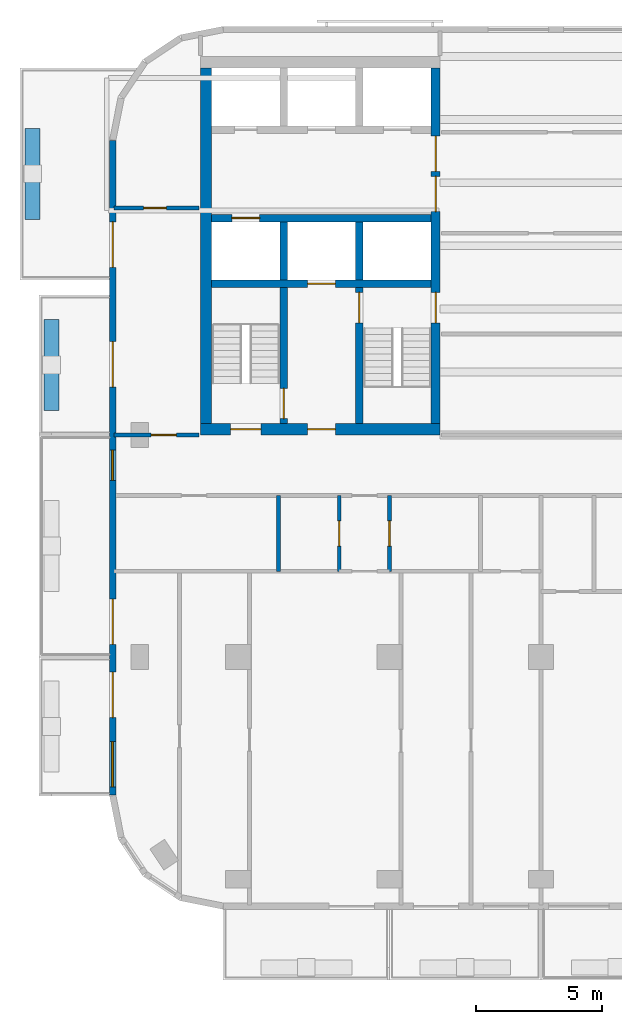
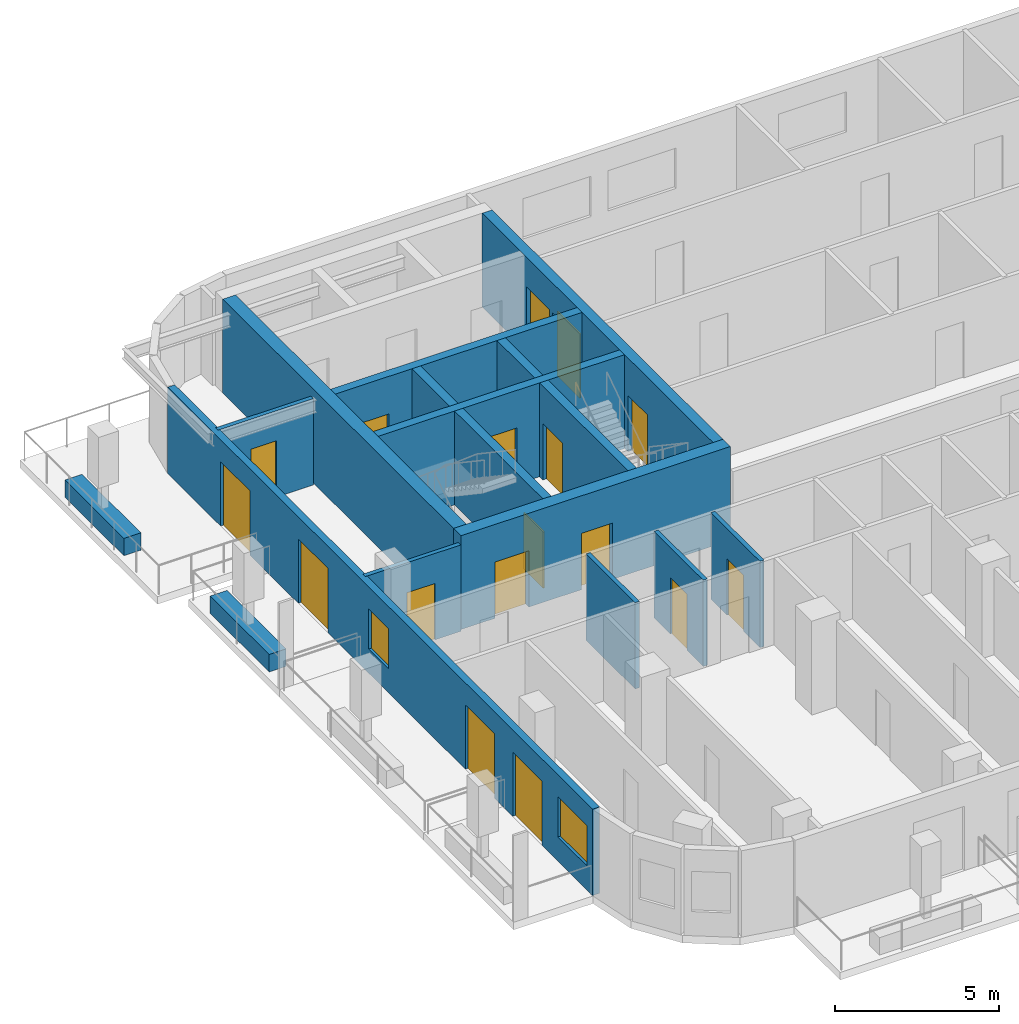
# One storey, part 3 of 11: 17 doors, 17 walls, 2 windows, 19 openings.
"""IFC4 building model written with IfcOpenShell, lengths in metres."""

import ifcopenshell
import ifcopenshell.guid

model = None  # the IFC model being written
_history = None  # IfcOwnerHistory: only IFC2X3 demands one
_inside = {}  # id of a spatial element -> (the spatial element, [elements in it])
_under = {}  # id of a project, library or spatial element -> (it, [spatial elements below it])
_declared = {}  # id of a project -> (the project, [libraries it declares])
_typed = {}  # id of a type object -> (the type object, [elements of that type])
_made_of = {}  # id of a material, layer set ... -> (it, [elements and type objects made of it])


def new_model(schema):
    """Start an empty IFC model of exactly this schema.

    Asked for "IFC4X3", IfcOpenShell would pick the latest addendum, in which some entities
    have other attributes; the version numbers below select the first issue.
    IFC2X3 requires an IfcOwnerHistory on every rooted entity: one is made here for all.
    """
    global model, _history
    if schema == "IFC4X3":
        model = ifcopenshell.file(schema_version=(4, 3, 0, 0))
    else:
        model = ifcopenshell.file(schema=schema)
    _inside.clear()
    _under.clear()
    _declared.clear()
    _typed.clear()
    _made_of.clear()
    _history = None
    if model.schema == "IFC2X3":
        org = make("IfcOrganization", Name="unknown")
        user = make(
            "IfcPersonAndOrganization",
            ThePerson=make("IfcPerson", FamilyName="unknown"),
            TheOrganization=org,
        )
        app = make(
            "IfcApplication",
            ApplicationDeveloper=org,
            Version="unknown",
            ApplicationFullName="unknown",
            ApplicationIdentifier="unknown",
        )
        _history = make(
            "IfcOwnerHistory",
            OwningUser=user,
            OwningApplication=app,
            ChangeAction="ADDED",
            CreationDate=0,
        )
    return model


def make(cls, **values):
    """One entity of the class cls with the attributes given. An attribute that is None is left unset."""
    return model.create_entity(
        cls, **{name: value for name, value in values.items() if value is not None}
    )


def rooted(cls, **values):
    """An entity with a GlobalId (a new one), such as an element, a storey or a relation."""
    return make(cls, GlobalId=ifcopenshell.guid.new(), OwnerHistory=_history, **values)


def si_unit(unit_type, name, prefix=None):
    """IfcSIUnit, for example si_unit("LENGTHUNIT", "METRE", prefix="MILLI")."""
    return make("IfcSIUnit", UnitType=unit_type, Prefix=prefix, Name=name)


def assignment(units):
    """IfcUnitAssignment: the units of a project."""
    return None if units is None else make("IfcUnitAssignment", Units=units)


def point(xyz):
    """IfcCartesianPoint."""
    return None if xyz is None else make("IfcCartesianPoint", Coordinates=xyz)


def direction(xyz):
    """IfcDirection."""
    return None if xyz is None else make("IfcDirection", DirectionRatios=xyz)


def frame(location, z_axis=None, x_axis=None):
    """IfcAxis2Placement3D, a coordinate frame: its origin and axes. An axis left out is left unset."""
    return make(
        "IfcAxis2Placement3D",
        Location=point(location),
        Axis=direction(z_axis),
        RefDirection=direction(x_axis),
    )


def frame_2d(location, x_axis=None):
    """IfcAxis2Placement2D, a coordinate frame in the plane: its origin and x axis."""
    return make(
        "IfcAxis2Placement2D", Location=point(location), RefDirection=direction(x_axis)
    )


def origin():
    """The frame at (0, 0, 0) with its axes left unset."""
    return frame((0.0, 0.0, 0.0))


def place(relative_to, where):
    """IfcLocalPlacement: puts the frame where relative to a parent placement (None: the world)."""
    return make(
        "IfcLocalPlacement", PlacementRelTo=relative_to, RelativePlacement=where
    )


def context(
    kind, dimensions, precision=None, world=None, true_north=None, identifier=None
):
    """IfcGeometricRepresentationContext, for example the 3D "Model" context."""
    return make(
        "IfcGeometricRepresentationContext",
        ContextIdentifier=identifier,
        ContextType=kind,
        CoordinateSpaceDimension=dimensions,
        Precision=precision,
        WorldCoordinateSystem=world,
        TrueNorth=true_north,
    )


def subcontext(parent, identifier, kind, view, scale=None):
    """IfcGeometricRepresentationSubContext, for example "Body" below "Model"."""
    return make(
        "IfcGeometricRepresentationSubContext",
        ContextIdentifier=identifier,
        ContextType=kind,
        ParentContext=parent,
        TargetScale=scale,
        TargetView=view,
    )


def project(units=None, contexts=None):
    """IfcProject with its units and contexts."""
    return rooted(
        "IfcProject",
        Name="project",
        RepresentationContexts=contexts,
        UnitsInContext=assignment(units),
    )


def spatial(cls, under=None, at=None, **own):
    """A site, building, storey or space (cls), placed at a placement, below another one or the project."""
    s = rooted(cls, ObjectPlacement=at, **own)
    if under is not None:
        _under.setdefault(under.id(), (under, []))[1].append(s)
    return s


def profile(cls, at=None, kind="AREA", **sizes):
    """A parametric profile (cls). Its sizes go by their IFC names, for example OverallWidth=200.0."""
    return make(cls, ProfileType=kind, Position=at, **sizes)


def rectangle(**sizes):
    """IfcRectangleProfileDef."""
    return profile("IfcRectangleProfileDef", **sizes)


def extrude(swept, where, along, depth):
    """IfcExtrudedAreaSolid: the profile swept, set in the frame where, extruded along a direction by depth."""
    return make(
        "IfcExtrudedAreaSolid",
        SweptArea=swept,
        Position=where,
        ExtrudedDirection=direction(along),
        Depth=depth,
    )


def shape(context_of_items, identifier, shape_type, items):
    """IfcShapeRepresentation: the items that make up one representation, for example the "Body"."""
    return make(
        "IfcShapeRepresentation",
        ContextOfItems=context_of_items,
        RepresentationIdentifier=identifier,
        RepresentationType=shape_type,
        Items=items,
    )


def material(Name=None, Category=None):
    """IfcMaterial."""
    return make("IfcMaterial", Name=Name, Category=Category)


def layer(
    of_material, thickness, ventilated=None, Name=None, Category=None, Priority=None
):
    """IfcMaterialLayer: one layer of a wall or slab, of a material (None: an air gap)."""
    return make(
        "IfcMaterialLayer",
        Material=of_material,
        LayerThickness=thickness,
        IsVentilated=ventilated,
        Name=Name,
        Category=Category,
        Priority=Priority,
    )


def layer_set(layers, Name=None):
    """IfcMaterialLayerSet."""
    return make("IfcMaterialLayerSet", MaterialLayers=layers, LayerSetName=Name)


def made_of(thing, what):
    """Note that an element or type object is made of a material, layer set ...; save() writes the relation."""
    if what is not None:
        _made_of.setdefault(what.id(), (what, []))[1].append(thing)
    return thing


def type_object(cls, material=None, **own):
    """A type object (cls), such as IfcWallType, which elements share."""
    return made_of(rooted(cls, **own), material)


def element(
    cls,
    number,
    at=None,
    inside=None,
    cuts=None,
    type_object=None,
    material=None,
    context=None,
    identifier="Body",
    shape_type=None,
    held_by="IfcProductDefinitionShape",
    body=None,
    shapes=None,
    **own,
):
    """One element of the class cls, such as IfcWall. Its Tag is "e" and its number.

    at: its placement. inside: the storey or other place that contains it. cuts: it is an
    opening in that element (IfcRelVoidsElement). A single representation is given by context,
    identifier, shape_type and body (its items); several are given by shapes. held_by: the class
    of the entity that holds the representations. save() writes the other relations.
    """
    e = rooted(cls, Tag="e%d" % number, ObjectPlacement=at, **own)
    if body is not None:
        shapes = [shape(context, identifier, shape_type, body)]
    if shapes is not None:
        e.Representation = make(held_by, Representations=shapes)
    if inside is not None:
        _inside.setdefault(inside.id(), (inside, []))[1].append(e)
    if cuts is not None:
        rooted(
            "IfcRelVoidsElement", RelatingBuildingElement=cuts, RelatedOpeningElement=e
        )
    if type_object is not None:
        _typed.setdefault(type_object.id(), (type_object, []))[1].append(e)
    return made_of(e, material)


def fill(opening, filler):
    """IfcRelFillsElement: the door or window that sits in an opening."""
    return rooted(
        "IfcRelFillsElement",
        RelatingOpeningElement=opening,
        RelatedBuildingElement=filler,
    )


def aggregate(whole, parts):
    """IfcRelAggregates: a whole, such as a stair, and the parts it consists of."""
    return rooted("IfcRelAggregates", RelatingObject=whole, RelatedObjects=parts)


def save(model, path):
    """Write the relations noted so far, then the file.

    IfcRelAggregates (storeys below a building ...), IfcRelContainedInSpatialStructure (elements
    in a storey), IfcRelDefinesByType, IfcRelAssociatesMaterial and IfcRelDeclares: one each for
    every whole, place, type object, material and project.
    """
    for whole, parts in _under.values():
        aggregate(whole, parts)
    for where, things in _inside.values():
        rooted(
            "IfcRelContainedInSpatialStructure",
            RelatedElements=things,
            RelatingStructure=where,
        )
    for kind, things in _typed.values():
        rooted("IfcRelDefinesByType", RelatedObjects=things, RelatingType=kind)
    for what, things in _made_of.values():
        rooted("IfcRelAssociatesMaterial", RelatedObjects=things, RelatingMaterial=what)
    for by, libraries in _declared.values():
        rooted("IfcRelDeclares", RelatingContext=by, RelatedDefinitions=libraries)
    model.write(path)


model = new_model("IFC4")

# Units and contexts
model_context = context("Model", 3, precision=1e-05, world=origin(), true_north=direction((0.0, 1.0)))
body_context = subcontext(model_context, "Body", "Model", "MODEL_VIEW")
ifc_project = project(units=[si_unit("LENGTHUNIT", "METRE"), si_unit("AREAUNIT", "SQUARE_METRE"), si_unit("VOLUMEUNIT", "CUBIC_METRE"), si_unit("PLANEANGLEUNIT", "RADIAN"), si_unit("MASSUNIT", "GRAM", prefix="KILO")], contexts=[model_context])

# Site, building, storey
site_placement = place(None, origin())
site = spatial("IfcSite", under=ifc_project, at=site_placement, CompositionType="ELEMENT")
building_placement = place(site_placement, origin())
building = spatial("IfcBuilding", under=site, at=building_placement, Name="Torana Hotel and Residences", CompositionType="ELEMENT")
storey_placement = place(building_placement, frame((0.0, 0.0, 273.60009765625)))
storey = spatial("IfcBuildingStorey", under=building, at=storey_placement, Name="L72", CompositionType="ELEMENT", Elevation=273.60009765625)

# Wall, opening, door
ifc_material_1 = material(Name="Concrete C60/75", Category="concrete")
ifc_layer_1 = layer(ifc_material_1, 0.300048828125)
ifc_layer_set_1 = layer_set([ifc_layer_1], Name="CORE WALL 300 C60/75")
wall_type_1 = type_object("IfcWallType", Name="CORE WALL 300 C60/75", PredefinedType="SHEAR", material=ifc_layer_set_1)
wall_1_placement = place(storey_placement, frame((-19.050048828125, -6.39990234375, 0.0), z_axis=(0.0, 0.0, 1.0), x_axis=(1.0, 0.0, 0.0)))
wall_1 = element("IfcWall", 1, at=wall_1_placement, inside=storey, type_object=wall_type_1, Name="Core wall W row-S", PredefinedType="SHEAR", context=body_context, shape_type="SweptSolid", body=[
    extrude(rectangle(XDim=8.699951171875, YDim=0.300048828125, at=frame_2d((4.35009765625, 0.0))), origin(), (0.0, 0.0, 1.0), 3.5),
])
opening_1_placement = place(wall_1_placement, frame((0.800048828125, 0.0, 0.0)))
opening_1 = element("IfcOpeningElement", 2, at=opening_1_placement, cuts=wall_1, Name="Opening LD", PredefinedType="OPENING", context=body_context, shape_type="SweptSolid", body=[
    extrude(rectangle(XDim=1.10009765625, YDim=2.10009765625, at=frame_2d((0.550048828125, 1.050048828125))), frame((0.0, 0.159912109375, 0.0), z_axis=(0.0, -1.0, 0.0), x_axis=(1.0, 0.0, 0.0)), (0.0, 0.0, 1.0), 0.320068359375),
])
ifc_material_2 = material(Name="Stainless steel 316", Category="steel")
door_type_1 = type_object("IfcDoorType", Name="LIFT LANDING DOOR LD 1100x2100", OperationType="DOUBLE_DOOR_SLIDING", PredefinedType="USERDEFINED", material=ifc_material_2)
door_1_placement = place(opening_1_placement, origin())
door_1 = element("IfcDoor", 3, at=door_1_placement, inside=storey, type_object=door_type_1, Name="Lift landing door SV1 L72", ObjectType="LIFT LANDING DOOR", OperationType="DOUBLE_DOOR_SLIDING", OverallHeight=2.10009765625, OverallWidth=1.10009765625, PredefinedType="USERDEFINED", context=body_context, shape_type="SweptSolid", body=[
    extrude(rectangle(XDim=1.10009765625, YDim=2.10009765625, at=frame_2d((0.550048828125, 1.050048828125))), frame((0.0, 0.02490234375, 0.0), z_axis=(0.0, -1.0, 0.0), x_axis=(1.0, 0.0, 0.0)), (0.0, 0.0, 1.0), 0.050048828125),
])
fill(opening_1, door_1)

wall_2_placement = place(storey_placement, frame((-19.050048828125, -9.0, 0.0), z_axis=(0.0, 0.0, 1.0), x_axis=(1.0, 0.0, 0.0)))
wall_2 = element("IfcWall", 4, at=wall_2_placement, inside=storey, type_object=wall_type_1, Name="Core wall W band", PredefinedType="SHEAR", context=body_context, shape_type="SweptSolid", body=[
    extrude(rectangle(XDim=8.699951171875, YDim=0.300048828125, at=frame_2d((4.35009765625, 0.0))), origin(), (0.0, 0.0, 1.0), 3.5),
])
opening_2_placement = place(wall_2_placement, frame((3.800048828125, 0.0, 0.0)))
opening_2 = element("IfcOpeningElement", 5, at=opening_2_placement, cuts=wall_2, Name="Opening LD", PredefinedType="OPENING", context=body_context, shape_type="SweptSolid", body=[
    extrude(rectangle(XDim=1.10009765625, YDim=2.10009765625, at=frame_2d((0.550048828125, 1.050048828125))), frame((0.0, 0.159912109375, 0.0), z_axis=(0.0, -1.0, 0.0), x_axis=(1.0, 0.0, 0.0)), (0.0, 0.0, 1.0), 0.320068359375),
])
door_2_placement = place(opening_2_placement, origin())
door_2 = element("IfcDoor", 6, at=door_2_placement, inside=storey, type_object=door_type_1, Name="Lift landing door FF1 L72", ObjectType="LIFT LANDING DOOR", OperationType="DOUBLE_DOOR_SLIDING", OverallHeight=2.10009765625, OverallWidth=1.10009765625, PredefinedType="USERDEFINED", context=body_context, shape_type="SweptSolid", body=[
    extrude(rectangle(XDim=1.10009765625, YDim=2.10009765625, at=frame_2d((0.550048828125, 1.050048828125))), frame((0.0, 0.02490234375, 0.0), z_axis=(0.0, -1.0, 0.0), x_axis=(1.0, 0.0, 0.0)), (0.0, 0.0, 1.0), 0.050048828125),
])
fill(opening_2, door_2)

# Wall
wall_3_placement = place(storey_placement, frame((-13.199951171875, -8.85009765625, 0.0), z_axis=(0.0, 0.0, 1.0), x_axis=(0.0, 1.0, 0.0)))
element("IfcWall", 7, at=wall_3_placement, inside=storey, type_object=wall_type_1, Name="Core wall W x3.05-S", PredefinedType="SHEAR", context=body_context, shape_type="SweptSolid", body=[
    extrude(rectangle(XDim=2.300048828125, YDim=0.300048828125, at=frame_2d((1.14990234375, 0.0))), origin(), (0.0, 0.0, 1.0), 3.5),
])

# Wall, opening, door
wall_4_placement = place(storey_placement, frame((-13.199951171875, -14.550048828125, 0.0), z_axis=(0.0, 0.0, 1.0), x_axis=(0.0, 1.0, 0.0)))
wall_4 = element("IfcWall", 8, at=wall_4_placement, inside=storey, type_object=wall_type_1, Name="Core wall W x3.05-band", PredefinedType="SHEAR", context=body_context, shape_type="SweptSolid", body=[
    extrude(rectangle(XDim=5.400146484375, YDim=0.300048828125, at=frame_2d((2.7001953125, 0.0))), origin(), (0.0, 0.0, 1.0), 3.5),
])
opening_3_placement = place(wall_4_placement, frame((4.0, 0.0, 0.0)))
opening_3 = element("IfcOpeningElement", 9, at=opening_3_placement, cuts=wall_4, Name="Opening L72-07", PredefinedType="OPENING", context=body_context, shape_type="SweptSolid", body=[
    extrude(rectangle(XDim=1.199951171875, YDim=2.10009765625, at=frame_2d((0.60009765625, 1.050048828125))), frame((0.0, 0.159912109375, 0.0), z_axis=(0.0, -1.0, 0.0), x_axis=(1.0, 0.0, 0.0)), (0.0, 0.0, 1.0), 0.320068359375),
])
ifc_material_3 = material(Name="Steel S235", Category="steel")
door_type_2 = type_object("IfcDoorType", Name="STAIR FIRE DOOR D3 1200x2100", OperationType="SINGLE_SWING_LEFT", PredefinedType="DOOR", material=ifc_material_3)
door_3_placement = place(opening_3_placement, frame((0.60009765625, 0.0, 0.0), z_axis=(0.0, 0.0, 1.0), x_axis=(-1.0, 0.0, 0.0)))
door_3 = element("IfcDoor", 10, at=door_3_placement, inside=storey, type_object=door_type_2, Name="Stair-A-lobby door L72", OperationType="SINGLE_SWING_RIGHT", OverallHeight=2.10009765625, OverallWidth=1.199951171875, PredefinedType="DOOR", context=body_context, shape_type="SweptSolid", body=[
    extrude(rectangle(XDim=1.199951171875, YDim=2.10009765625, at=frame_2d((0.0, 1.050048828125))), frame((0.0, -0.02490234375, 0.0), z_axis=(0.0, 1.0, 0.0), x_axis=(-1.0, 0.0, 0.0)), (0.0, 0.0, 1.0), 0.050048828125),
])
fill(opening_3, door_3)

# Wall
wall_5_placement = place(storey_placement, frame((-16.199951171875, -8.85009765625, 0.0), z_axis=(0.0, 0.0, 1.0), x_axis=(0.0, 1.0, 0.0)))
element("IfcWall", 11, at=wall_5_placement, inside=storey, type_object=wall_type_1, Name="Core wall W x6.05-S", PredefinedType="SHEAR", context=body_context, shape_type="SweptSolid", body=[
    extrude(rectangle(XDim=2.300048828125, YDim=0.300048828125, at=frame_2d((1.14990234375, 0.0))), origin(), (0.0, 0.0, 1.0), 3.5),
])

# Wall, opening, door
wall_6_placement = place(storey_placement, frame((-16.199951171875, -14.550048828125, 0.0), z_axis=(0.0, 0.0, 1.0), x_axis=(0.0, 1.0, 0.0)))
wall_6 = element("IfcWall", 12, at=wall_6_placement, inside=storey, type_object=wall_type_1, Name="Core wall W x6.05-band", PredefinedType="SHEAR", context=body_context, shape_type="SweptSolid", body=[
    extrude(rectangle(XDim=5.400146484375, YDim=0.300048828125, at=frame_2d((2.7001953125, 0.0))), origin(), (0.0, 0.0, 1.0), 3.5),
])
opening_4_placement = place(wall_6_placement, frame((0.199951171875, 0.0, 0.0)))
opening_4 = element("IfcOpeningElement", 13, at=opening_4_placement, cuts=wall_6, Name="Opening L72-08", PredefinedType="OPENING", context=body_context, shape_type="SweptSolid", body=[
    extrude(rectangle(XDim=1.199951171875, YDim=2.10009765625, at=frame_2d((0.60009765625, 1.050048828125))), frame((0.0, 0.159912109375, 0.0), z_axis=(0.0, -1.0, 0.0), x_axis=(1.0, 0.0, 0.0)), (0.0, 0.0, 1.0), 0.320068359375),
])
door_4_placement = place(opening_4_placement, origin())
door_4 = element("IfcDoor", 14, at=door_4_placement, inside=storey, type_object=door_type_2, Name="Stair-B-lobby door L72", OperationType="SINGLE_SWING_RIGHT", OverallHeight=2.10009765625, OverallWidth=1.199951171875, PredefinedType="DOOR", context=body_context, shape_type="SweptSolid", body=[
    extrude(rectangle(XDim=1.199951171875, YDim=2.10009765625, at=frame_2d((0.60009765625, 1.050048828125))), frame((0.0, 0.02490234375, 0.0), z_axis=(0.0, -1.0, 0.0), x_axis=(1.0, 0.0, 0.0)), (0.0, 0.0, 1.0), 0.050048828125),
])
fill(opening_4, door_4)

# Wall, openings, doors
ifc_material_4 = material(Name="Concrete C60/75", Category="concrete")
ifc_layer_2 = layer(ifc_material_4, 0.35009765625)
ifc_layer_set_2 = layer_set([ifc_layer_2], Name="CORE WALL 350 C60/75")
wall_type_2 = type_object("IfcWallType", Name="CORE WALL 350 C60/75", PredefinedType="SHEAR", material=ifc_layer_set_2)
wall_7_placement = place(storey_placement, frame((-10.175048828125, -14.550048828125, 0.0), z_axis=(0.0, 0.0, 1.0), x_axis=(0.0, 1.0, 0.0)))
wall_7 = element("IfcWall", 15, at=wall_7_placement, inside=storey, type_object=wall_type_2, Name="Core wall W arch", PredefinedType="SHEAR", context=body_context, shape_type="SweptSolid", body=[
    extrude(rectangle(XDim=14.10009765625, YDim=0.35009765625, at=frame_2d((7.050048828125, 0.0))), origin(), (0.0, 0.0, 1.0), 3.5),
])
opening_5_placement = place(wall_7_placement, frame((8.39990234375, 0.0, 0.0)))
opening_5 = element("IfcOpeningElement", 16, at=opening_5_placement, cuts=wall_7, Name="Opening L72-01", PredefinedType="OPENING", context=body_context, shape_type="SweptSolid", body=[
    extrude(rectangle(XDim=1.39990234375, YDim=2.39990234375, at=frame_2d((0.699951171875, 1.199951171875))), frame((0.0, 0.18505859375, 0.0), z_axis=(0.0, -1.0, 0.0), x_axis=(1.0, 0.0, 0.0)), (0.0, 0.0, 1.0), 0.3701171875),
])
opening_6_placement = place(wall_7_placement, frame((10.0, 0.0, 0.0)))
opening_6 = element("IfcOpeningElement", 17, at=opening_6_placement, cuts=wall_7, Name="Opening L72-02", PredefinedType="OPENING", context=body_context, shape_type="SweptSolid", body=[
    extrude(rectangle(XDim=1.39990234375, YDim=2.39990234375, at=frame_2d((0.699951171875, 1.199951171875))), frame((0.0, 0.18505859375, 0.0), z_axis=(0.0, -1.0, 0.0), x_axis=(1.0, 0.0, 0.0)), (0.0, 0.0, 1.0), 0.3701171875),
])
opening_7_placement = place(wall_7_placement, frame((4.0, 0.0, 0.0)))
opening_7 = element("IfcOpeningElement", 18, at=opening_7_placement, cuts=wall_7, Name="Opening L72-03", PredefinedType="OPENING", context=body_context, shape_type="SweptSolid", body=[
    extrude(rectangle(XDim=1.199951171875, YDim=2.10009765625, at=frame_2d((0.60009765625, 1.050048828125))), frame((0.0, 0.18505859375, 0.0), z_axis=(0.0, -1.0, 0.0), x_axis=(1.0, 0.0, 0.0)), (0.0, 0.0, 1.0), 0.3701171875),
])
ifc_material_5 = material(Name="Steel S235", Category="steel")
door_type_3 = type_object("IfcDoorType", Name="LOBBY FIRE DOOR D4 1400x2400", OperationType="DOUBLE_DOOR_SINGLE_SWING", PredefinedType="DOOR", material=ifc_material_5)
door_5_placement = place(opening_5_placement, origin())
door_5 = element("IfcDoor", 19, at=door_5_placement, inside=storey, type_object=door_type_3, Name="Lobby-1 door L72", OperationType="DOUBLE_DOOR_SINGLE_SWING", OverallHeight=2.39990234375, OverallWidth=1.39990234375, PredefinedType="DOOR", context=body_context, shape_type="SweptSolid", body=[
    extrude(rectangle(XDim=1.39990234375, YDim=2.39990234375, at=frame_2d((0.699951171875, 1.199951171875))), frame((0.0, 0.02490234375, 0.0), z_axis=(0.0, -1.0, 0.0), x_axis=(1.0, 0.0, 0.0)), (0.0, 0.0, 1.0), 0.050048828125),
])
fill(opening_5, door_5)
door_6_placement = place(opening_6_placement, origin())
door_6 = element("IfcDoor", 20, at=door_6_placement, inside=storey, type_object=door_type_3, Name="Lobby-2 door L72", OperationType="DOUBLE_DOOR_SINGLE_SWING", OverallHeight=2.39990234375, OverallWidth=1.39990234375, PredefinedType="DOOR", context=body_context, shape_type="SweptSolid", body=[
    extrude(rectangle(XDim=1.39990234375, YDim=2.39990234375, at=frame_2d((0.699951171875, 1.199951171875))), frame((0.0, 0.02490234375, 0.0), z_axis=(0.0, -1.0, 0.0), x_axis=(1.0, 0.0, 0.0)), (0.0, 0.0, 1.0), 0.050048828125),
])
fill(opening_6, door_6)
door_7_placement = place(opening_7_placement, origin())
door_7 = element("IfcDoor", 21, at=door_7_placement, inside=storey, type_object=door_type_2, Name="Stair-A door L72", OperationType="SINGLE_SWING_LEFT", OverallHeight=2.10009765625, OverallWidth=1.199951171875, PredefinedType="DOOR", context=body_context, shape_type="SweptSolid", body=[
    extrude(rectangle(XDim=1.199951171875, YDim=2.10009765625, at=frame_2d((0.60009765625, 1.050048828125))), frame((0.0, 0.02490234375, 0.0), z_axis=(0.0, -1.0, 0.0), x_axis=(1.0, 0.0, 0.0)), (0.0, 0.0, 1.0), 0.050048828125),
])
fill(opening_7, door_7)

ifc_material_6 = material(Name="Concrete C60/75", Category="concrete")
ifc_layer_3 = layer(ifc_material_6, 0.449951171875)
ifc_layer_set_3 = layer_set([ifc_layer_3], Name="CORE WALL 450 C60/75")
wall_type_3 = type_object("IfcWallType", Name="CORE WALL 450 C60/75", PredefinedType="SHEAR", material=ifc_layer_set_3)
wall_8_placement = place(storey_placement, frame((-19.5, -14.77490234375, 0.0), z_axis=(0.0, 0.0, 1.0), x_axis=(1.0, 0.0, 0.0)))
wall_8 = element("IfcWall", 22, at=wall_8_placement, inside=storey, type_object=wall_type_3, Name="Core wall W front", PredefinedType="SHEAR", context=body_context, shape_type="SweptSolid", body=[
    extrude(rectangle(XDim=9.5, YDim=0.449951171875, at=frame_2d((4.75, 0.0))), origin(), (0.0, 0.0, 1.0), 3.5),
])
opening_8_placement = place(wall_8_placement, frame((1.199951171875, 0.0, 0.0)))
opening_8 = element("IfcOpeningElement", 23, at=opening_8_placement, cuts=wall_8, Name="Opening L72-04", PredefinedType="OPENING", context=body_context, shape_type="SweptSolid", body=[
    extrude(rectangle(XDim=1.199951171875, YDim=2.10009765625, at=frame_2d((0.60009765625, 1.050048828125))), frame((0.0, 0.23486328125, 0.0), z_axis=(0.0, -1.0, 0.0), x_axis=(1.0, 0.0, 0.0)), (0.0, 0.0, 1.0), 0.469970703125),
])
opening_9_placement = place(wall_8_placement, frame((4.25, 0.0, 0.0)))
opening_9 = element("IfcOpeningElement", 24, at=opening_9_placement, cuts=wall_8, Name="Opening L72-05", PredefinedType="OPENING", context=body_context, shape_type="SweptSolid", body=[
    extrude(rectangle(XDim=1.10009765625, YDim=2.10009765625, at=frame_2d((0.550048828125, 1.050048828125))), frame((0.0, 0.23486328125, 0.0), z_axis=(0.0, -1.0, 0.0), x_axis=(1.0, 0.0, 0.0)), (0.0, 0.0, 1.0), 0.469970703125),
])
ifc_material_7 = material(Name="Steel S235", Category="steel")
door_type_4 = type_object("IfcDoorType", Name="FIRE-FIGHTING LOBBY DOOR D8 1100x2100", OperationType="SINGLE_SWING_LEFT", PredefinedType="DOOR", material=ifc_material_7)
door_8_placement = place(opening_9_placement, origin())
door_8 = element("IfcDoor", 25, at=door_8_placement, inside=storey, type_object=door_type_4, Name="FF-lobby door L72", OperationType="SINGLE_SWING_RIGHT", OverallHeight=2.10009765625, OverallWidth=1.10009765625, PredefinedType="DOOR", context=body_context, shape_type="SweptSolid", body=[
    extrude(rectangle(XDim=1.10009765625, YDim=2.10009765625, at=frame_2d((0.550048828125, 1.050048828125))), frame((0.0, 0.02490234375, 0.0), z_axis=(0.0, -1.0, 0.0), x_axis=(1.0, 0.0, 0.0)), (0.0, 0.0, 1.0), 0.050048828125),
])
fill(opening_9, door_8)
door_9_placement = place(opening_8_placement, origin())
door_9 = element("IfcDoor", 26, at=door_9_placement, inside=storey, type_object=door_type_2, Name="Stair-B door L72", OperationType="SINGLE_SWING_RIGHT", OverallHeight=2.10009765625, OverallWidth=1.199951171875, PredefinedType="DOOR", context=body_context, shape_type="SweptSolid", body=[
    extrude(rectangle(XDim=1.199951171875, YDim=2.10009765625, at=frame_2d((0.60009765625, 1.050048828125))), frame((0.0, 0.02490234375, 0.0), z_axis=(0.0, -1.0, 0.0), x_axis=(1.0, 0.0, 0.0)), (0.0, 0.0, 1.0), 0.050048828125),
])
fill(opening_8, door_9)

# Wall
wall_9_placement = place(storey_placement, frame((-19.27490234375, -14.550048828125, 0.0), z_axis=(0.0, 0.0, 1.0), x_axis=(0.0, 1.0, 0.0)))
element("IfcWall", 27, at=wall_9_placement, inside=storey, type_object=wall_type_3, Name="Core wall W outer", PredefinedType="SHEAR", context=body_context, shape_type="SweptSolid", body=[
    extrude(rectangle(XDim=14.10009765625, YDim=0.449951171875, at=frame_2d((7.050048828125, 0.0))), origin(), (0.0, 0.0, 1.0), 3.5),
])

# Wall, openings, doors, windows
ifc_material_8 = material(Name="Black aluminium composite panel", Category="aluminium")
ifc_layer_4 = layer(ifc_material_8, 0.00390625, Name="Cladding", Category="cladding")
ifc_material_9 = material(Name="Ventilated air cavity")
ifc_layer_5 = layer(ifc_material_9, 0.0400390625, Name="Ventilated cavity", Category="cavity")
ifc_material_10 = material(Name="Mineral wool insulation")
ifc_layer_6 = layer(ifc_material_10, 0.090087890625, Name="Insulation", Category="insulation")
ifc_material_11 = material(Name="Steel S280GD", Category="steel")
ifc_layer_7 = layer(ifc_material_11, 0.092041015625, Name="Steel stud frame", Category="structure")
ifc_material_12 = material(Name="Fire rated plasterboard")
ifc_layer_8 = layer(ifc_material_12, 0.011962890625, Name="Inner board", Category="finish")
ifc_layer_9 = layer(ifc_material_12, 0.011962890625, Name="Second board", Category="finish")
ifc_layer_set_4 = layer_set([ifc_layer_4, ifc_layer_5, ifc_layer_6, ifc_layer_7, ifc_layer_8, ifc_layer_9], Name="EW1 EXTERNAL WALL BLACK METAL CLAD 250")
wall_type_4 = type_object("IfcWallType", Name="EW1 EXTERNAL WALL BLACK METAL CLAD 250", PredefinedType="SOLIDWALL", material=ifc_layer_set_4)
wall_10_placement = place(storey_placement, frame((-22.97509765625, -3.32470703125, 0.0), z_axis=(0.0, 0.0, 1.0), x_axis=(0.0, -1.0, 0.0)))
wall_10 = element("IfcWall", 28, at=wall_10_placement, inside=storey, type_object=wall_type_4, Name="External wall L72 e0.9", PredefinedType="SOLIDWALL", context=body_context, shape_type="SweptSolid", body=[
    extrude(rectangle(XDim=25.95068359375, YDim=0.25, at=frame_2d((12.975341796875, 0.0))), origin(), (0.0, 0.0, 1.0), 3.219970703125),
])
opening_10_placement = place(wall_10_placement, frame((3.225341796875, 0.0, 0.0)))
opening_10 = element("IfcOpeningElement", 29, at=opening_10_placement, cuts=wall_10, Name="Opening L72-E11", PredefinedType="OPENING", context=body_context, shape_type="SweptSolid", body=[
    extrude(rectangle(XDim=1.800048828125, YDim=2.39990234375, at=frame_2d((0.89990234375, 1.199951171875))), frame((0.0, 0.135009765625, 0.0), z_axis=(0.0, -1.0, 0.0), x_axis=(1.0, 0.0, 0.0)), (0.0, 0.0, 1.0), 0.27001953125),
])
opening_11_placement = place(wall_10_placement, frame((7.975341796875, 0.0, 0.0)))
opening_11 = element("IfcOpeningElement", 30, at=opening_11_placement, cuts=wall_10, Name="Opening L72-E12", PredefinedType="OPENING", context=body_context, shape_type="SweptSolid", body=[
    extrude(rectangle(XDim=1.800048828125, YDim=2.39990234375, at=frame_2d((0.89990234375, 1.199951171875))), frame((0.0, 0.135009765625, 0.0), z_axis=(0.0, -1.0, 0.0), x_axis=(1.0, 0.0, 0.0)), (0.0, 0.0, 1.0), 0.27001953125),
])
opening_12_placement = place(wall_10_placement, frame((12.275390625, 0.0, 0.89990234375)))
opening_12 = element("IfcOpeningElement", 31, at=opening_12_placement, cuts=wall_10, Name="Opening W5", PredefinedType="OPENING", context=body_context, shape_type="SweptSolid", body=[
    extrude(rectangle(XDim=1.199951171875, YDim=1.5, at=frame_2d((0.60009765625, 0.75))), frame((0.0, 0.135009765625, 0.0), z_axis=(0.0, -1.0, 0.0), x_axis=(1.0, 0.0, 0.0)), (0.0, 0.0, 1.0), 0.27001953125),
])
opening_13_placement = place(wall_10_placement, frame((18.17529296875, 0.0, 0.0)))
opening_13 = element("IfcOpeningElement", 32, at=opening_13_placement, cuts=wall_10, Name="Opening L72-E13", PredefinedType="OPENING", context=body_context, shape_type="SweptSolid", body=[
    extrude(rectangle(XDim=1.800048828125, YDim=2.39990234375, at=frame_2d((0.89990234375, 1.199951171875))), frame((0.0, 0.135009765625, 0.0), z_axis=(0.0, -1.0, 0.0), x_axis=(1.0, 0.0, 0.0)), (0.0, 0.0, 1.0), 0.27001953125),
])
opening_14_placement = place(wall_10_placement, frame((21.075439453125, 0.0, 0.0)))
opening_14 = element("IfcOpeningElement", 33, at=opening_14_placement, cuts=wall_10, Name="Opening L72-E14", PredefinedType="OPENING", context=body_context, shape_type="SweptSolid", body=[
    extrude(rectangle(XDim=1.800048828125, YDim=2.39990234375, at=frame_2d((0.89990234375, 1.199951171875))), frame((0.0, 0.135009765625, 0.0), z_axis=(0.0, -1.0, 0.0), x_axis=(1.0, 0.0, 0.0)), (0.0, 0.0, 1.0), 0.27001953125),
])
opening_15_placement = place(wall_10_placement, frame((23.825439453125, 0.0, 0.89990234375)))
opening_15 = element("IfcOpeningElement", 34, at=opening_15_placement, cuts=wall_10, Name="Opening W4", PredefinedType="OPENING", context=body_context, shape_type="SweptSolid", body=[
    extrude(rectangle(XDim=1.800048828125, YDim=1.5, at=frame_2d((0.89990234375, 0.75))), frame((0.0, 0.135009765625, 0.0), z_axis=(0.0, -1.0, 0.0), x_axis=(1.0, 0.0, 0.0)), (0.0, 0.0, 1.0), 0.27001953125),
])
ifc_material_13 = material(Name="Dark glass in black aluminium frame", Category="aluminium")
door_type_5 = type_object("IfcDoorType", Name="DB1 BALCONY DOOR 1800x2400", OperationType="DOUBLE_DOOR_SINGLE_SWING", PredefinedType="DOOR", material=ifc_material_13)
door_10_placement = place(opening_10_placement, origin())
door_10 = element("IfcDoor", 35, at=door_10_placement, inside=storey, type_object=door_type_5, Name="Balcony door L72", OperationType="DOUBLE_DOOR_SINGLE_SWING", OverallHeight=2.39990234375, OverallWidth=1.800048828125, PredefinedType="DOOR", context=body_context, shape_type="SweptSolid", body=[
    extrude(rectangle(XDim=1.800048828125, YDim=2.39990234375, at=frame_2d((0.89990234375, 1.199951171875))), frame((0.0, 0.02490234375, 0.0), z_axis=(0.0, -1.0, 0.0), x_axis=(1.0, 0.0, 0.0)), (0.0, 0.0, 1.0), 0.050048828125),
])
fill(opening_10, door_10)
door_11_placement = place(opening_11_placement, origin())
door_11 = element("IfcDoor", 36, at=door_11_placement, inside=storey, type_object=door_type_5, Name="Balcony door L72", OperationType="DOUBLE_DOOR_SINGLE_SWING", OverallHeight=2.39990234375, OverallWidth=1.800048828125, PredefinedType="DOOR", context=body_context, shape_type="SweptSolid", body=[
    extrude(rectangle(XDim=1.800048828125, YDim=2.39990234375, at=frame_2d((0.89990234375, 1.199951171875))), frame((0.0, 0.02490234375, 0.0), z_axis=(0.0, -1.0, 0.0), x_axis=(1.0, 0.0, 0.0)), (0.0, 0.0, 1.0), 0.050048828125),
])
fill(opening_11, door_11)
door_12_placement = place(opening_13_placement, origin())
door_12 = element("IfcDoor", 37, at=door_12_placement, inside=storey, type_object=door_type_5, Name="Balcony door L72", OperationType="DOUBLE_DOOR_SINGLE_SWING", OverallHeight=2.39990234375, OverallWidth=1.800048828125, PredefinedType="DOOR", context=body_context, shape_type="SweptSolid", body=[
    extrude(rectangle(XDim=1.800048828125, YDim=2.39990234375, at=frame_2d((0.89990234375, 1.199951171875))), frame((0.0, 0.02490234375, 0.0), z_axis=(0.0, -1.0, 0.0), x_axis=(1.0, 0.0, 0.0)), (0.0, 0.0, 1.0), 0.050048828125),
])
fill(opening_13, door_12)
door_13_placement = place(opening_14_placement, origin())
door_13 = element("IfcDoor", 38, at=door_13_placement, inside=storey, type_object=door_type_5, Name="Balcony door L72", OperationType="DOUBLE_DOOR_SINGLE_SWING", OverallHeight=2.39990234375, OverallWidth=1.800048828125, PredefinedType="DOOR", context=body_context, shape_type="SweptSolid", body=[
    extrude(rectangle(XDim=1.800048828125, YDim=2.39990234375, at=frame_2d((0.89990234375, 1.199951171875))), frame((0.0, 0.02490234375, 0.0), z_axis=(0.0, -1.0, 0.0), x_axis=(1.0, 0.0, 0.0)), (0.0, 0.0, 1.0), 0.050048828125),
])
fill(opening_14, door_13)
ifc_material_14 = material(Name="Dark glass in black aluminium frame", Category="aluminium")
window_type_1 = type_object("IfcWindowType", Name="W4 RESIDENCE WINDOW NARROW 1800x1500", PartitioningType="SINGLE_PANEL", PredefinedType="WINDOW", material=ifc_material_14)
window_1_placement = place(opening_15_placement, origin())
window_1 = element("IfcWindow", 39, at=window_1_placement, inside=storey, type_object=window_type_1, Name="Window L72", OverallHeight=1.5, OverallWidth=1.800048828125, PartitioningType="SINGLE_PANEL", PredefinedType="WINDOW", context=body_context, shape_type="SweptSolid", body=[
    extrude(rectangle(XDim=1.800048828125, YDim=1.5, at=frame_2d((0.89990234375, 0.75))), frame((0.0, 0.030029296875, 0.0), z_axis=(0.0, -1.0, 0.0), x_axis=(1.0, 0.0, 0.0)), (0.0, 0.0, 1.0), 0.06005859375),
])
fill(opening_15, window_1)
ifc_material_15 = material(Name="Dark glass in black aluminium frame", Category="aluminium")
window_type_2 = type_object("IfcWindowType", Name="W5 CORNER FACET WINDOW 1200x1500", PartitioningType="SINGLE_PANEL", PredefinedType="WINDOW", material=ifc_material_15)
window_2_placement = place(opening_12_placement, origin())
window_2 = element("IfcWindow", 40, at=window_2_placement, inside=storey, type_object=window_type_2, Name="Window L72", OverallHeight=1.5, OverallWidth=1.199951171875, PartitioningType="SINGLE_PANEL", PredefinedType="WINDOW", context=body_context, shape_type="SweptSolid", body=[
    extrude(rectangle(XDim=1.199951171875, YDim=1.5, at=frame_2d((0.60009765625, 0.75))), frame((0.0, 0.030029296875, 0.0), z_axis=(0.0, -1.0, 0.0), x_axis=(1.0, 0.0, 0.0)), (0.0, 0.0, 1.0), 0.06005859375),
])
fill(opening_12, window_2)

# Wall, opening, door
ifc_material_16 = material(Name="Gypsum plaster")
ifc_layer_10 = layer(ifc_material_16, 0.014892578125, Name="Plaster", Category="finish")
ifc_material_17 = material(Name="Concrete blockwork", Category="masonry")
ifc_layer_11 = layer(ifc_material_17, 0.1201171875, Name="Blockwork", Category="structure")
ifc_layer_12 = layer(ifc_material_16, 0.014892578125, Name="Plaster", Category="finish")
ifc_layer_set_5 = layer_set([ifc_layer_10, ifc_layer_11, ifc_layer_12], Name="FIRE PARTITION 150 BLOCKWORK")
wall_type_5 = type_object("IfcWallType", Name="FIRE PARTITION 150 BLOCKWORK", PredefinedType="PARTITIONING", material=ifc_layer_set_5)
wall_11_placement = place(storey_placement, frame((-12.0, -20.39990234375, 0.0), z_axis=(0.0, 0.0, 1.0), x_axis=(0.0, 1.0, 0.0)))
wall_11 = element("IfcWall", 41, at=wall_11_placement, inside=storey, type_object=wall_type_5, Name="Partition L72", PredefinedType="PARTITIONING", context=body_context, shape_type="SweptSolid", body=[
    extrude(rectangle(XDim=3.0, YDim=0.14990234375, at=frame_2d((1.5, 0.0))), origin(), (0.0, 0.0, 1.0), 3.219970703125),
])
opening_16_placement = place(wall_11_placement, frame((1.0, 0.0, 0.0)))
opening_16 = element("IfcOpeningElement", 42, at=opening_16_placement, cuts=wall_11, Name="Opening L72-44", PredefinedType="OPENING", context=body_context, shape_type="SweptSolid", body=[
    extrude(rectangle(XDim=1.0, YDim=2.10009765625, at=frame_2d((0.5, 1.050048828125))), frame((0.0, 0.0849609375, 0.0), z_axis=(0.0, -1.0, 0.0), x_axis=(1.0, 0.0, 0.0)), (0.0, 0.0, 1.0), 0.169921875),
])
ifc_material_18 = material(Name="Steel S235", Category="steel")
door_type_6 = type_object("IfcDoorType", Name="ENTRY FIRE DOOR D6 1000x2100", OperationType="SINGLE_SWING_LEFT", PredefinedType="DOOR", material=ifc_material_18)
door_14_placement = place(opening_16_placement, frame((0.5, 0.0, 0.0), z_axis=(0.0, 0.0, 1.0), x_axis=(-1.0, 0.0, 0.0)))
door_14 = element("IfcDoor", 43, at=door_14_placement, inside=storey, type_object=door_type_6, Name="Door L72", OperationType="SINGLE_SWING_LEFT", OverallHeight=2.10009765625, OverallWidth=1.0, PredefinedType="DOOR", context=body_context, shape_type="SweptSolid", body=[
    extrude(rectangle(XDim=1.0, YDim=2.10009765625, at=frame_2d((0.0, 1.050048828125))), frame((0.0, -0.02490234375, 0.0), z_axis=(0.0, 1.0, 0.0), x_axis=(-1.0, 0.0, 0.0)), (0.0, 0.0, 1.0), 0.050048828125),
])
fill(opening_16, door_14)

wall_12_placement = place(storey_placement, frame((-14.0, -20.39990234375, 0.0), z_axis=(0.0, 0.0, 1.0), x_axis=(0.0, 1.0, 0.0)))
wall_12 = element("IfcWall", 44, at=wall_12_placement, inside=storey, type_object=wall_type_5, Name="Partition L72", PredefinedType="PARTITIONING", context=body_context, shape_type="SweptSolid", body=[
    extrude(rectangle(XDim=3.0, YDim=0.14990234375, at=frame_2d((1.5, 0.0))), origin(), (0.0, 0.0, 1.0), 3.219970703125),
])
opening_17_placement = place(wall_12_placement, frame((1.0, 0.0, 0.0)))
opening_17 = element("IfcOpeningElement", 45, at=opening_17_placement, cuts=wall_12, Name="Opening L72-45", PredefinedType="OPENING", context=body_context, shape_type="SweptSolid", body=[
    extrude(rectangle(XDim=1.0, YDim=2.10009765625, at=frame_2d((0.5, 1.050048828125))), frame((0.0, 0.0849609375, 0.0), z_axis=(0.0, -1.0, 0.0), x_axis=(1.0, 0.0, 0.0)), (0.0, 0.0, 1.0), 0.169921875),
])
door_15_placement = place(opening_17_placement, origin())
door_15 = element("IfcDoor", 46, at=door_15_placement, inside=storey, type_object=door_type_6, Name="Door L72", OperationType="SINGLE_SWING_RIGHT", OverallHeight=2.10009765625, OverallWidth=1.0, PredefinedType="DOOR", context=body_context, shape_type="SweptSolid", body=[
    extrude(rectangle(XDim=1.0, YDim=2.10009765625, at=frame_2d((0.5, 1.050048828125))), frame((0.0, 0.02490234375, 0.0), z_axis=(0.0, -1.0, 0.0), x_axis=(1.0, 0.0, 0.0)), (0.0, 0.0, 1.0), 0.050048828125),
])
fill(opening_17, door_15)

wall_13_placement = place(storey_placement, frame((-22.919921875, -15.0, 0.0), z_axis=(0.0, 0.0, 1.0), x_axis=(1.0, 0.0, 0.0)))
wall_13 = element("IfcWall", 47, at=wall_13_placement, inside=storey, type_object=wall_type_5, Name="Partition L72", PredefinedType="PARTITIONING", context=body_context, shape_type="SweptSolid", body=[
    extrude(rectangle(XDim=3.369873046875, YDim=0.14990234375, at=frame_2d((1.68505859375, 0.0))), origin(), (0.0, 0.0, 1.0), 3.219970703125),
])
opening_18_placement = place(wall_13_placement, frame((1.469970703125, 0.0, 0.0)))
opening_18 = element("IfcOpeningElement", 48, at=opening_18_placement, cuts=wall_13, Name="Opening L72-26", PredefinedType="OPENING", context=body_context, shape_type="SweptSolid", body=[
    extrude(rectangle(XDim=1.0, YDim=2.10009765625, at=frame_2d((0.5, 1.050048828125))), frame((0.0, 0.0849609375, 0.0), z_axis=(0.0, -1.0, 0.0), x_axis=(1.0, 0.0, 0.0)), (0.0, 0.0, 1.0), 0.169921875),
])
ifc_material_19 = material(Name="Steel S235", Category="steel")
door_type_7 = type_object("IfcDoorType", Name="CORE ROOM FIRE DOOR D14 1000x2100", OperationType="SINGLE_SWING_LEFT", PredefinedType="DOOR", material=ifc_material_19)
door_16_placement = place(opening_18_placement, origin())
door_16 = element("IfcDoor", 49, at=door_16_placement, inside=storey, type_object=door_type_7, Name="Door L72", OperationType="SINGLE_SWING_RIGHT", OverallHeight=2.10009765625, OverallWidth=1.0, PredefinedType="DOOR", context=body_context, shape_type="SweptSolid", body=[
    extrude(rectangle(XDim=1.0, YDim=2.10009765625, at=frame_2d((0.5, 1.050048828125))), frame((0.0, 0.02490234375, 0.0), z_axis=(0.0, -1.0, 0.0), x_axis=(1.0, 0.0, 0.0)), (0.0, 0.0, 1.0), 0.050048828125),
])
fill(opening_18, door_16)

# Wall
ifc_material_20 = material(Name="Gypsum plasterboard")
ifc_layer_13 = layer(ifc_material_20, 0.012451171875, Name="Plasterboard", Category="finish")
ifc_layer_14 = layer(ifc_material_20, 0.012451171875, Name="Plasterboard", Category="finish")
ifc_layer_15 = layer(ifc_material_11, 0.10009765625, Name="Steel studs with mineral wool", Category="insulation")
ifc_layer_16 = layer(ifc_material_20, 0.012451171875, Name="Plasterboard", Category="finish")
ifc_layer_17 = layer(ifc_material_20, 0.012451171875, Name="Plasterboard", Category="finish")
ifc_layer_set_6 = layer_set([ifc_layer_13, ifc_layer_14, ifc_layer_15, ifc_layer_16, ifc_layer_17], Name="PARTITION 150 PLASTERBOARD")
wall_type_6 = type_object("IfcWallType", Name="PARTITION 150 PLASTERBOARD", PredefinedType="PARTITIONING", material=ifc_layer_set_6)
wall_14_placement = place(storey_placement, frame((-16.39990234375, -20.39990234375, 0.0), z_axis=(0.0, 0.0, 1.0), x_axis=(0.0, 1.0, 0.0)))
element("IfcWall", 50, at=wall_14_placement, inside=storey, type_object=wall_type_6, Name="Partition L72", PredefinedType="PARTITIONING", context=body_context, shape_type="SweptSolid", body=[
    extrude(rectangle(XDim=3.0, YDim=0.14990234375, at=frame_2d((1.5, 0.0))), origin(), (0.0, 0.0, 1.0), 3.219970703125),
])

# Wall, opening, door
wall_15_placement = place(storey_placement, frame((-22.919921875, -6.0, 0.0), z_axis=(0.0, 0.0, 1.0), x_axis=(1.0, 0.0, 0.0)))
wall_15 = element("IfcWall", 51, at=wall_15_placement, inside=storey, type_object=wall_type_6, Name="Partition L72", PredefinedType="PARTITIONING", context=body_context, shape_type="SweptSolid", body=[
    extrude(rectangle(XDim=3.369873046875, YDim=0.14990234375, at=frame_2d((1.68505859375, 0.0))), origin(), (0.0, 0.0, 1.0), 3.219970703125),
])
opening_19_placement = place(wall_15_placement, frame((1.169921875, 0.0, 0.0)))
opening_19 = element("IfcOpeningElement", 52, at=opening_19_placement, cuts=wall_15, Name="Opening L72-57", PredefinedType="OPENING", context=body_context, shape_type="SweptSolid", body=[
    extrude(rectangle(XDim=0.89990234375, YDim=2.10009765625, at=frame_2d((0.449951171875, 1.050048828125))), frame((0.0, 0.0849609375, 0.0), z_axis=(0.0, -1.0, 0.0), x_axis=(1.0, 0.0, 0.0)), (0.0, 0.0, 1.0), 0.169921875),
])
ifc_material_21 = material(Name="Timber door, oiled ash", Category="wood")
door_type_8 = type_object("IfcDoorType", Name="ROOM DOOR D7 900x2100", OperationType="SINGLE_SWING_LEFT", PredefinedType="DOOR", material=ifc_material_21)
door_17_placement = place(opening_19_placement, origin())
door_17 = element("IfcDoor", 53, at=door_17_placement, inside=storey, type_object=door_type_8, Name="Door L72", OperationType="SINGLE_SWING_RIGHT", OverallHeight=2.10009765625, OverallWidth=0.89990234375, PredefinedType="DOOR", context=body_context, shape_type="SweptSolid", body=[
    extrude(rectangle(XDim=0.89990234375, YDim=2.10009765625, at=frame_2d((0.449951171875, 1.050048828125))), frame((0.0, 0.02490234375, 0.0), z_axis=(0.0, -1.0, 0.0), x_axis=(1.0, 0.0, 0.0)), (0.0, 0.0, 1.0), 0.050048828125),
])
fill(opening_19, door_17)

# Walls
ifc_material_22 = material(Name="Concrete C40/50 precast", Category="concrete")
ifc_layer_18 = layer(ifc_material_22, 0.10009765625, Name="Planter shell", Category="structure")
ifc_material_23 = material(Name="Root resistant membrane")
ifc_layer_19 = layer(ifc_material_23, 0.00390625, Name="Waterproofing membrane", Category="membrane")
ifc_material_24 = material(Name="Drainage board with filter fleece")
ifc_layer_20 = layer(ifc_material_24, 0.02001953125, Name="Drainage board", Category="drainage")
ifc_material_25 = material(Name="Growing medium")
ifc_layer_21 = layer(ifc_material_25, 0.47607421875, Name="Planting substrate", Category="soil")
ifc_layer_set_7 = layer_set([ifc_layer_18, ifc_layer_19, ifc_layer_20, ifc_layer_21], Name="PL1 BALCONY PLANTER 600")
wall_type_7 = type_object("IfcWallType", Name="PL1 BALCONY PLANTER 600", PredefinedType="USERDEFINED", material=ifc_layer_set_7)
for number, where, z_axis, x_axis, name in (
    (54, (-25.39990234375, -14.02490234375, 0.0), (0.0, 0.0, 1.0), (0.0, 1.0, 0.0), "Planter 09"),
    (55, (-26.14990234375, -6.449951171875, 0.0), (0.0, 0.0, 1.0), (0.0, 1.0, 0.0), "Planter 10"),
):
    element("IfcWall", number, at=place(storey_placement, frame(where, z_axis=z_axis, x_axis=x_axis)), inside=storey, type_object=wall_type_7, Name=name, ObjectType="PLANTER", PredefinedType="USERDEFINED", context=body_context, shape_type="SweptSolid", body=[
        extrude(rectangle(XDim=3.599853515625, YDim=0.60009765625, at=frame_2d((1.7998046875, 0.0))), origin(), (0.0, 0.0, 1.0), 0.64990234375),
    ])

save(model, "model.ifc")
